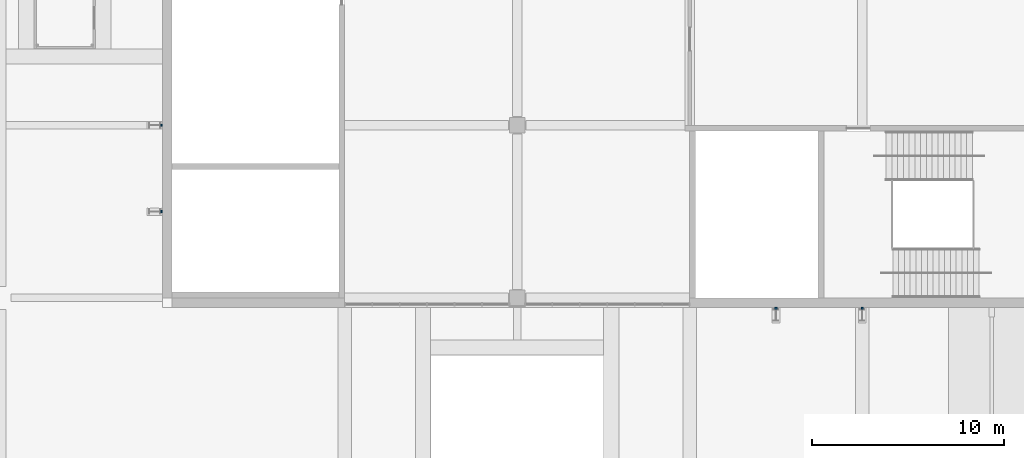
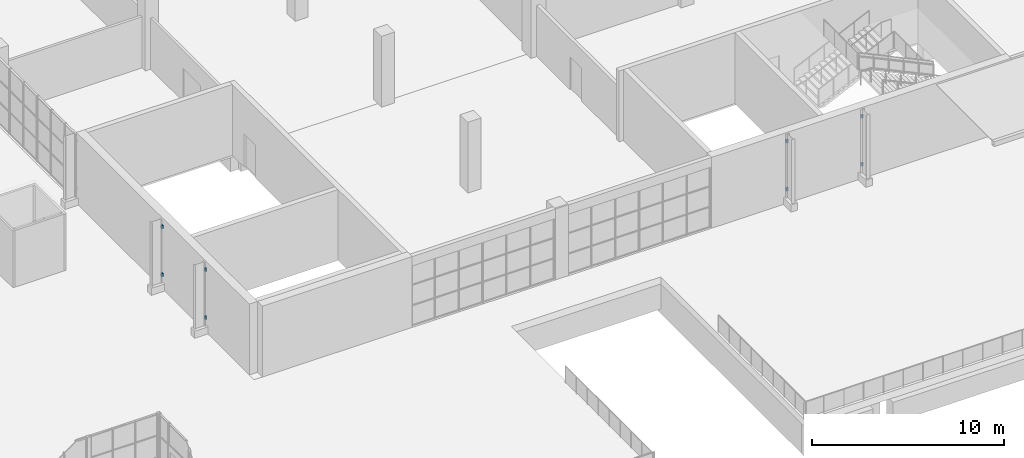
# One storey, part 120 of 168: 8 discrete accessories.
"""IFC4 building model written with IfcOpenShell, lengths in metres."""

from ifc_helpers import new_model, si_unit, direction, frame, origin, origin_2d, place, context, subcontext, project, spatial, rectangle, extrude, material, type_object, element, save


model = new_model("IFC4")

# Units and contexts
model_context = context("Model", 3, precision=1e-05, world=origin(), true_north=direction((0.0, 1.0)))
body_context = subcontext(model_context, "Body", "Model", "MODEL_VIEW")
ifc_project = project(units=[si_unit("LENGTHUNIT", "METRE"), si_unit("AREAUNIT", "SQUARE_METRE"), si_unit("VOLUMEUNIT", "CUBIC_METRE"), si_unit("PLANEANGLEUNIT", "RADIAN"), si_unit("MASSUNIT", "GRAM", prefix="KILO")], contexts=[model_context])

# Site, building, storey
site_placement = place(None, origin())
site = spatial("IfcSite", under=ifc_project, at=site_placement, CompositionType="ELEMENT")
building_placement = place(site_placement, origin())
building = spatial("IfcBuilding", under=site, at=building_placement, Name="Silverbay Arena", CompositionType="ELEMENT")
storey_placement = place(building_placement, frame((0.0, 0.0, 7.0)))
storey = spatial("IfcBuildingStorey", under=building, at=storey_placement, Name="L01", CompositionType="ELEMENT", Elevation=7.0)

# Discrete accessories
ifc_material = material(Name="Steel S355", Category="steel")
discrete_accessory_type = type_object("IfcDiscreteAccessoryType", Name="Steel bracket plate", PredefinedType="BRACKET", material=ifc_material)
for number, where, z_axis, x_axis, name in (
    (1, (58.5, 17.449951171875, 0.85009765625), (0.0, 0.0, 1.0), (1.0, 0.0, 0.0), "Fin bracket"),
    (2, (58.5, 17.449951171875, 3.89990234375), (0.0, 0.0, 1.0), (1.0, 0.0, 0.0), "Fin bracket"),
    (3, (63.0, 17.449951171875, 0.85009765625), (0.0, 0.0, 1.0), (1.0, 0.0, 0.0), "Fin bracket"),
    (4, (63.0, 17.449951171875, 3.89990234375), (0.0, 0.0, 1.0), (1.0, 0.0, 0.0), "Fin bracket"),
):
    element("IfcDiscreteAccessory", number, at=place(storey_placement, frame(where, z_axis=z_axis, x_axis=x_axis)), inside=storey, type_object=discrete_accessory_type, Name=name, PredefinedType="BRACKET", context=body_context, shape_type="SweptSolid", body=[
        extrude(rectangle(XDim=0.1201171875, YDim=0.10009765625, at=origin_2d()), origin(), (0.0, 0.0, 1.0), 0.199951171875),
    ])
for number, where, z_axis, x_axis, name in (
    (5, (26.449951171875, 22.5, 0.85009765625), (0.0, 0.0, 1.0), (1.0, 0.0, 0.0), "Fin bracket"),
    (6, (26.449951171875, 22.5, 3.89990234375), (0.0, 0.0, 1.0), (1.0, 0.0, 0.0), "Fin bracket"),
    (7, (26.449951171875, 27.0, 0.85009765625), (0.0, 0.0, 1.0), (1.0, 0.0, 0.0), "Fin bracket"),
    (8, (26.449951171875, 27.0, 3.89990234375), (0.0, 0.0, 1.0), (1.0, 0.0, 0.0), "Fin bracket"),
):
    element("IfcDiscreteAccessory", number, at=place(storey_placement, frame(where, z_axis=z_axis, x_axis=x_axis)), inside=storey, type_object=discrete_accessory_type, Name=name, PredefinedType="BRACKET", context=body_context, shape_type="SweptSolid", body=[
        extrude(rectangle(XDim=0.10009765625, YDim=0.1201171875, at=origin_2d()), origin(), (0.0, 0.0, 1.0), 0.199951171875),
    ])

save(model, "model.ifc")
